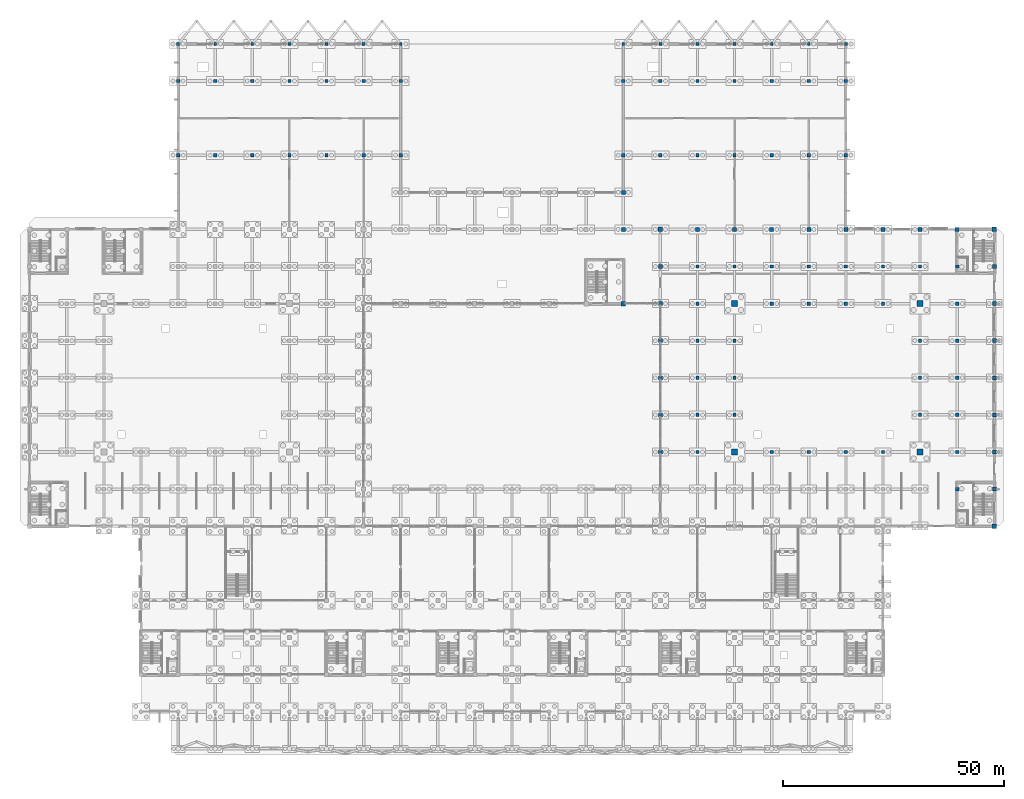
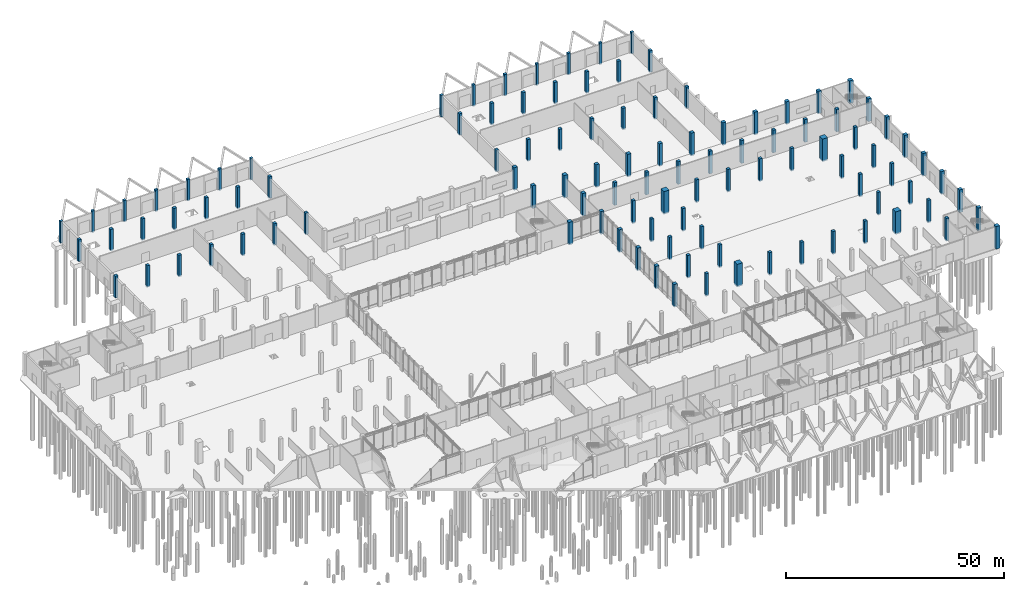
# One storey, part 14 of 72: 106 columns.
"""IFC4 building model written with IfcOpenShell, lengths in metres."""

from ifc_helpers import new_model, si_unit, direction, frame, origin, origin_2d, place, context, subcontext, project, spatial, rectangle, extrude, material, material_profile, profile_set, type_object, element, save


model = new_model("IFC4")

# Units and contexts
model_context = context("Model", 3, precision=1e-05, world=origin(), true_north=direction((0.0, 1.0)))
body_context = subcontext(model_context, "Body", "Model", "MODEL_VIEW")
ifc_project = project(units=[si_unit("LENGTHUNIT", "METRE"), si_unit("AREAUNIT", "SQUARE_METRE"), si_unit("VOLUMEUNIT", "CUBIC_METRE"), si_unit("PLANEANGLEUNIT", "RADIAN"), si_unit("MASSUNIT", "GRAM", prefix="KILO")], contexts=[model_context])

# Site, building, storey
site_placement = place(None, origin())
site = spatial("IfcSite", under=ifc_project, at=site_placement, CompositionType="ELEMENT")
building_placement = place(site_placement, origin())
building = spatial("IfcBuilding", under=site, at=building_placement, Name="Qawsi Khor Wholesale Market", CompositionType="ELEMENT")
storey_placement = place(building_placement, origin())
storey = spatial("IfcBuildingStorey", under=building, at=storey_placement, Name="L00", CompositionType="ELEMENT", Elevation=0.0)

# Columns
ifc_material = material(Name="Concrete C40/50", Category="concrete")
ifc_material_profile_1 = material_profile(ifc_material, rectangle(XDim=1.0, YDim=1.0, at=origin_2d()), Name="RC 1000x1000")
ifc_profile_set_1 = profile_set([ifc_material_profile_1], Name="Concrete C40/50")
column_type_1 = type_object("IfcColumnType", Name="Column RC 1000x1000", PredefinedType="COLUMN", material=ifc_profile_set_1)
for number, where, z_axis, x_axis, name in (
    (1, (134.39990234375, 92.39990234375, -0.360107421875), (0.0, 0.0, 1.0), (1.0, 0.0, 0.0), "Column RC 1000x1000 L00 (16,11)"),
    (2, (142.800048828125, 109.199951171875, -0.360107421875), (0.0, 0.0, 1.0), (1.0, 0.0, 0.0), "Column RC 1000x1000 L00 (17,13)"),
    (3, (218.39990234375, 42.0, -0.360107421875), (0.0, 0.0, 1.0), (1.0, 0.0, 0.0), "Column RC 1000x1000 L00 (26,5)"),
    (4, (218.39990234375, 109.199951171875, -0.360107421875), (0.0, 0.0, 1.0), (1.0, 0.0, 0.0), "Column RC 1000x1000 L00 (26,13)"),
):
    element("IfcColumn", number, at=place(storey_placement, frame(where, z_axis=z_axis, x_axis=x_axis)), inside=storey, type_object=column_type_1, Name=name, PredefinedType="COLUMN", context=body_context, shape_type="SweptSolid", body=[
        extrude(rectangle(XDim=1.0, YDim=1.0, at=origin_2d()), origin(), (0.0, 0.0, 1.0), 6.360107421875),
    ])
ifc_material_profile_2 = material_profile(ifc_material, rectangle(XDim=0.64990234375, YDim=0.64990234375, at=origin_2d()), Name="RC 650x650")
ifc_profile_set_2 = profile_set([ifc_material_profile_2], Name="Concrete C40/50")
column_type_2 = type_object("IfcColumnType", Name="Column RC 650x650", PredefinedType="COLUMN", material=ifc_profile_set_2)
for number, where, z_axis, x_axis, name in (
    (5, (33.60009765625, 151.199951171875, -0.360107421875), (0.0, 0.0, 1.0), (1.0, 0.0, 0.0), "Column RC 650x650 L00 (4,18)"),
    (6, (42.0, 151.199951171875, -0.360107421875), (0.0, 0.0, 1.0), (1.0, 0.0, 0.0), "Column RC 650x650 L00 (5,18)"),
    (7, (50.39990234375, 151.199951171875, -0.360107421875), (0.0, 0.0, 1.0), (1.0, 0.0, 0.0), "Column RC 650x650 L00 (6,18)"),
    (8, (58.800048828125, 151.199951171875, -0.360107421875), (0.0, 0.0, 1.0), (1.0, 0.0, 0.0), "Column RC 650x650 L00 (7,18)"),
    (9, (67.199951171875, 151.199951171875, -0.360107421875), (0.0, 0.0, 1.0), (1.0, 0.0, 0.0), "Column RC 650x650 L00 (8,18)"),
    (10, (75.60009765625, 151.199951171875, -0.360107421875), (0.0, 0.0, 1.0), (1.0, 0.0, 0.0), "Column RC 650x650 L00 (9,18)"),
    (11, (84.0, 151.199951171875, -0.360107421875), (0.0, 0.0, 1.0), (1.0, 0.0, 0.0), "Column RC 650x650 L00 (10,18)"),
    (12, (134.39990234375, 151.199951171875, -0.360107421875), (0.0, 0.0, 1.0), (1.0, 0.0, 0.0), "Column RC 650x650 L00 (16,18)"),
    (13, (142.800048828125, 151.199951171875, -0.360107421875), (0.0, 0.0, 1.0), (1.0, 0.0, 0.0), "Column RC 650x650 L00 (17,18)"),
    (14, (151.199951171875, 151.199951171875, -0.360107421875), (0.0, 0.0, 1.0), (1.0, 0.0, 0.0), "Column RC 650x650 L00 (18,18)"),
    (15, (159.60009765625, 151.199951171875, -0.360107421875), (0.0, 0.0, 1.0), (1.0, 0.0, 0.0), "Column RC 650x650 L00 (19,18)"),
    (16, (168.0, 151.199951171875, -0.360107421875), (0.0, 0.0, 1.0), (1.0, 0.0, 0.0), "Column RC 650x650 L00 (20,18)"),
    (17, (176.39990234375, 151.199951171875, -0.360107421875), (0.0, 0.0, 1.0), (1.0, 0.0, 0.0), "Column RC 650x650 L00 (21,18)"),
    (18, (184.800048828125, 151.199951171875, -0.360107421875), (0.0, 0.0, 1.0), (1.0, 0.0, 0.0), "Column RC 650x650 L00 (22,18)"),
):
    element("IfcColumn", number, at=place(storey_placement, frame(where, z_axis=z_axis, x_axis=x_axis)), inside=storey, type_object=column_type_2, Name=name, PredefinedType="COLUMN", context=body_context, shape_type="SweptSolid", body=[
        extrude(rectangle(XDim=0.64990234375, YDim=0.64990234375, at=origin_2d()), origin(), (0.0, 0.0, 1.0), 6.06005859375),
    ])
ifc_material_profile_3 = material_profile(ifc_material, rectangle(XDim=0.75, YDim=0.75, at=origin_2d()), Name="RC 750x750")
ifc_profile_set_3 = profile_set([ifc_material_profile_3], Name="Concrete C40/50")
column_type_3 = type_object("IfcColumnType", Name="Column RC 750x750", PredefinedType="COLUMN", material=ifc_profile_set_3)
for number, where, z_axis, x_axis, name in (
    (19, (33.60009765625, 126.0, -0.360107421875), (0.0, 0.0, 1.0), (1.0, 0.0, 0.0), "Column RC 750x750 L00 (4,15)"),
    (20, (33.60009765625, 142.800048828125, -0.360107421875), (0.0, 0.0, 1.0), (1.0, 0.0, 0.0), "Column RC 750x750 L00 (4,17)"),
    (21, (42.0, 126.0, -0.360107421875), (0.0, 0.0, 1.0), (1.0, 0.0, 0.0), "Column RC 750x750 L00 (5,15)"),
    (22, (42.0, 142.800048828125, -0.360107421875), (0.0, 0.0, 1.0), (1.0, 0.0, 0.0), "Column RC 750x750 L00 (5,17)"),
    (23, (50.39990234375, 126.0, -0.360107421875), (0.0, 0.0, 1.0), (1.0, 0.0, 0.0), "Column RC 750x750 L00 (6,15)"),
    (24, (50.39990234375, 142.800048828125, -0.360107421875), (0.0, 0.0, 1.0), (1.0, 0.0, 0.0), "Column RC 750x750 L00 (6,17)"),
    (25, (58.800048828125, 126.0, -0.360107421875), (0.0, 0.0, 1.0), (1.0, 0.0, 0.0), "Column RC 750x750 L00 (7,15)"),
    (26, (58.800048828125, 142.800048828125, -0.360107421875), (0.0, 0.0, 1.0), (1.0, 0.0, 0.0), "Column RC 750x750 L00 (7,17)"),
    (27, (67.199951171875, 126.0, -0.360107421875), (0.0, 0.0, 1.0), (1.0, 0.0, 0.0), "Column RC 750x750 L00 (8,15)"),
    (28, (67.199951171875, 142.800048828125, -0.360107421875), (0.0, 0.0, 1.0), (1.0, 0.0, 0.0), "Column RC 750x750 L00 (8,17)"),
    (29, (75.60009765625, 126.0, -0.360107421875), (0.0, 0.0, 1.0), (1.0, 0.0, 0.0), "Column RC 750x750 L00 (9,15)"),
    (30, (75.60009765625, 142.800048828125, -0.360107421875), (0.0, 0.0, 1.0), (1.0, 0.0, 0.0), "Column RC 750x750 L00 (9,17)"),
    (31, (84.0, 126.0, -0.360107421875), (0.0, 0.0, 1.0), (1.0, 0.0, 0.0), "Column RC 750x750 L00 (10,15)"),
    (32, (84.0, 142.800048828125, -0.360107421875), (0.0, 0.0, 1.0), (1.0, 0.0, 0.0), "Column RC 750x750 L00 (10,17)"),
    (33, (134.39990234375, 126.0, -0.360107421875), (0.0, 0.0, 1.0), (1.0, 0.0, 0.0), "Column RC 750x750 L00 (16,15)"),
    (34, (134.39990234375, 142.800048828125, -0.360107421875), (0.0, 0.0, 1.0), (1.0, 0.0, 0.0), "Column RC 750x750 L00 (16,17)"),
    (35, (142.800048828125, 126.0, -0.360107421875), (0.0, 0.0, 1.0), (1.0, 0.0, 0.0), "Column RC 750x750 L00 (17,15)"),
    (36, (142.800048828125, 142.800048828125, -0.360107421875), (0.0, 0.0, 1.0), (1.0, 0.0, 0.0), "Column RC 750x750 L00 (17,17)"),
):
    element("IfcColumn", number, at=place(storey_placement, frame(where, z_axis=z_axis, x_axis=x_axis)), inside=storey, type_object=column_type_3, Name=name, PredefinedType="COLUMN", context=body_context, shape_type="SweptSolid", body=[
        extrude(rectangle(XDim=0.75, YDim=0.75, at=origin_2d()), origin(), (0.0, 0.0, 1.0), 6.06005859375),
    ])
for number, where, z_axis, x_axis, name in (
    (37, (151.199951171875, 58.800048828125, -0.360107421875), (0.0, 0.0, 1.0), (1.0, 0.0, 0.0), "Column RC 750x750 L00 (18,7)"),
    (38, (151.199951171875, 67.199951171875, -0.360107421875), (0.0, 0.0, 1.0), (1.0, 0.0, 0.0), "Column RC 750x750 L00 (18,8)"),
    (39, (151.199951171875, 75.60009765625, -0.360107421875), (0.0, 0.0, 1.0), (1.0, 0.0, 0.0), "Column RC 750x750 L00 (18,9)"),
    (40, (151.199951171875, 84.0, -0.360107421875), (0.0, 0.0, 1.0), (1.0, 0.0, 0.0), "Column RC 750x750 L00 (18,10)"),
    (41, (151.199951171875, 92.39990234375, -0.360107421875), (0.0, 0.0, 1.0), (1.0, 0.0, 0.0), "Column RC 750x750 L00 (18,11)"),
    (42, (151.199951171875, 100.800048828125, -0.360107421875), (0.0, 0.0, 1.0), (1.0, 0.0, 0.0), "Column RC 750x750 L00 (18,12)"),
):
    element("IfcColumn", number, at=place(storey_placement, frame(where, z_axis=z_axis, x_axis=x_axis)), inside=storey, type_object=column_type_3, Name=name, PredefinedType="COLUMN", context=body_context, shape_type="SweptSolid", body=[
        extrude(rectangle(XDim=0.75, YDim=0.75, at=origin_2d()), origin(), (0.0, 0.0, 1.0), 6.360107421875),
    ])
for number, where, z_axis, x_axis, name in (
    (43, (151.199951171875, 126.0, -0.360107421875), (0.0, 0.0, 1.0), (1.0, 0.0, 0.0), "Column RC 750x750 L00 (18,15)"),
    (44, (151.199951171875, 142.800048828125, -0.360107421875), (0.0, 0.0, 1.0), (1.0, 0.0, 0.0), "Column RC 750x750 L00 (18,17)"),
):
    element("IfcColumn", number, at=place(storey_placement, frame(where, z_axis=z_axis, x_axis=x_axis)), inside=storey, type_object=column_type_3, Name=name, PredefinedType="COLUMN", context=body_context, shape_type="SweptSolid", body=[
        extrude(rectangle(XDim=0.75, YDim=0.75, at=origin_2d()), origin(), (0.0, 0.0, 1.0), 6.06005859375),
    ])
for number, where, z_axis, x_axis, name in (
    (45, (159.60009765625, 67.199951171875, -0.360107421875), (0.0, 0.0, 1.0), (1.0, 0.0, 0.0), "Column RC 750x750 L00 (19,8)"),
    (46, (159.60009765625, 75.60009765625, -0.360107421875), (0.0, 0.0, 1.0), (1.0, 0.0, 0.0), "Column RC 750x750 L00 (19,9)"),
    (47, (159.60009765625, 84.0, -0.360107421875), (0.0, 0.0, 1.0), (1.0, 0.0, 0.0), "Column RC 750x750 L00 (19,10)"),
    (48, (159.60009765625, 100.800048828125, -0.360107421875), (0.0, 0.0, 1.0), (1.0, 0.0, 0.0), "Column RC 750x750 L00 (19,12)"),
):
    element("IfcColumn", number, at=place(storey_placement, frame(where, z_axis=z_axis, x_axis=x_axis)), inside=storey, type_object=column_type_3, Name=name, PredefinedType="COLUMN", context=body_context, shape_type="SweptSolid", body=[
        extrude(rectangle(XDim=0.75, YDim=0.75, at=origin_2d()), origin(), (0.0, 0.0, 1.0), 6.360107421875),
    ])
for number, where, z_axis, x_axis, name in (
    (49, (159.60009765625, 126.0, -0.360107421875), (0.0, 0.0, 1.0), (1.0, 0.0, 0.0), "Column RC 750x750 L00 (19,15)"),
    (50, (159.60009765625, 142.800048828125, -0.360107421875), (0.0, 0.0, 1.0), (1.0, 0.0, 0.0), "Column RC 750x750 L00 (19,17)"),
):
    element("IfcColumn", number, at=place(storey_placement, frame(where, z_axis=z_axis, x_axis=x_axis)), inside=storey, type_object=column_type_3, Name=name, PredefinedType="COLUMN", context=body_context, shape_type="SweptSolid", body=[
        extrude(rectangle(XDim=0.75, YDim=0.75, at=origin_2d()), origin(), (0.0, 0.0, 1.0), 6.06005859375),
    ])
for number, where, z_axis, x_axis, name in (
    (51, (168.0, 58.800048828125, -0.360107421875), (0.0, 0.0, 1.0), (1.0, 0.0, 0.0), "Column RC 750x750 L00 (20,7)"),
    (52, (168.0, 92.39990234375, -0.360107421875), (0.0, 0.0, 1.0), (1.0, 0.0, 0.0), "Column RC 750x750 L00 (20,11)"),
    (53, (168.0, 100.800048828125, -0.360107421875), (0.0, 0.0, 1.0), (1.0, 0.0, 0.0), "Column RC 750x750 L00 (20,12)"),
):
    element("IfcColumn", number, at=place(storey_placement, frame(where, z_axis=z_axis, x_axis=x_axis)), inside=storey, type_object=column_type_3, Name=name, PredefinedType="COLUMN", context=body_context, shape_type="SweptSolid", body=[
        extrude(rectangle(XDim=0.75, YDim=0.75, at=origin_2d()), origin(), (0.0, 0.0, 1.0), 6.360107421875),
    ])
for number, where, z_axis, x_axis, name in (
    (54, (168.0, 126.0, -0.360107421875), (0.0, 0.0, 1.0), (1.0, 0.0, 0.0), "Column RC 750x750 L00 (20,15)"),
    (55, (168.0, 142.800048828125, -0.360107421875), (0.0, 0.0, 1.0), (1.0, 0.0, 0.0), "Column RC 750x750 L00 (20,17)"),
):
    element("IfcColumn", number, at=place(storey_placement, frame(where, z_axis=z_axis, x_axis=x_axis)), inside=storey, type_object=column_type_3, Name=name, PredefinedType="COLUMN", context=body_context, shape_type="SweptSolid", body=[
        extrude(rectangle(XDim=0.75, YDim=0.75, at=origin_2d()), origin(), (0.0, 0.0, 1.0), 6.06005859375),
    ])
for number, where, z_axis, x_axis, name in (
    (56, (176.39990234375, 58.800048828125, -0.360107421875), (0.0, 0.0, 1.0), (1.0, 0.0, 0.0), "Column RC 750x750 L00 (21,7)"),
    (57, (176.39990234375, 92.39990234375, -0.360107421875), (0.0, 0.0, 1.0), (1.0, 0.0, 0.0), "Column RC 750x750 L00 (21,11)"),
    (58, (176.39990234375, 100.800048828125, -0.360107421875), (0.0, 0.0, 1.0), (1.0, 0.0, 0.0), "Column RC 750x750 L00 (21,12)"),
):
    element("IfcColumn", number, at=place(storey_placement, frame(where, z_axis=z_axis, x_axis=x_axis)), inside=storey, type_object=column_type_3, Name=name, PredefinedType="COLUMN", context=body_context, shape_type="SweptSolid", body=[
        extrude(rectangle(XDim=0.75, YDim=0.75, at=origin_2d()), origin(), (0.0, 0.0, 1.0), 6.360107421875),
    ])
for number, where, z_axis, x_axis, name in (
    (59, (176.39990234375, 126.0, -0.360107421875), (0.0, 0.0, 1.0), (1.0, 0.0, 0.0), "Column RC 750x750 L00 (21,15)"),
    (60, (176.39990234375, 142.800048828125, -0.360107421875), (0.0, 0.0, 1.0), (1.0, 0.0, 0.0), "Column RC 750x750 L00 (21,17)"),
):
    element("IfcColumn", number, at=place(storey_placement, frame(where, z_axis=z_axis, x_axis=x_axis)), inside=storey, type_object=column_type_3, Name=name, PredefinedType="COLUMN", context=body_context, shape_type="SweptSolid", body=[
        extrude(rectangle(XDim=0.75, YDim=0.75, at=origin_2d()), origin(), (0.0, 0.0, 1.0), 6.06005859375),
    ])
for number, where, z_axis, x_axis, name in (
    (61, (184.800048828125, 58.800048828125, -0.360107421875), (0.0, 0.0, 1.0), (1.0, 0.0, 0.0), "Column RC 750x750 L00 (22,7)"),
    (62, (184.800048828125, 92.39990234375, -0.360107421875), (0.0, 0.0, 1.0), (1.0, 0.0, 0.0), "Column RC 750x750 L00 (22,11)"),
    (63, (184.800048828125, 100.800048828125, -0.360107421875), (0.0, 0.0, 1.0), (1.0, 0.0, 0.0), "Column RC 750x750 L00 (22,12)"),
):
    element("IfcColumn", number, at=place(storey_placement, frame(where, z_axis=z_axis, x_axis=x_axis)), inside=storey, type_object=column_type_3, Name=name, PredefinedType="COLUMN", context=body_context, shape_type="SweptSolid", body=[
        extrude(rectangle(XDim=0.75, YDim=0.75, at=origin_2d()), origin(), (0.0, 0.0, 1.0), 6.360107421875),
    ])
for number, where, z_axis, x_axis, name in (
    (64, (184.800048828125, 126.0, -0.360107421875), (0.0, 0.0, 1.0), (1.0, 0.0, 0.0), "Column RC 750x750 L00 (22,15)"),
    (65, (184.800048828125, 142.800048828125, -0.360107421875), (0.0, 0.0, 1.0), (1.0, 0.0, 0.0), "Column RC 750x750 L00 (22,17)"),
):
    element("IfcColumn", number, at=place(storey_placement, frame(where, z_axis=z_axis, x_axis=x_axis)), inside=storey, type_object=column_type_3, Name=name, PredefinedType="COLUMN", context=body_context, shape_type="SweptSolid", body=[
        extrude(rectangle(XDim=0.75, YDim=0.75, at=origin_2d()), origin(), (0.0, 0.0, 1.0), 6.06005859375),
    ])
for number, where, z_axis, x_axis, name in (
    (66, (193.199951171875, 58.800048828125, -0.360107421875), (0.0, 0.0, 1.0), (1.0, 0.0, 0.0), "Column RC 750x750 L00 (23,7)"),
    (67, (193.199951171875, 92.39990234375, -0.360107421875), (0.0, 0.0, 1.0), (1.0, 0.0, 0.0), "Column RC 750x750 L00 (23,11)"),
    (68, (193.199951171875, 100.800048828125, -0.360107421875), (0.0, 0.0, 1.0), (1.0, 0.0, 0.0), "Column RC 750x750 L00 (23,12)"),
    (69, (201.60009765625, 67.199951171875, -0.360107421875), (0.0, 0.0, 1.0), (1.0, 0.0, 0.0), "Column RC 750x750 L00 (24,8)"),
    (70, (201.60009765625, 75.60009765625, -0.360107421875), (0.0, 0.0, 1.0), (1.0, 0.0, 0.0), "Column RC 750x750 L00 (24,9)"),
    (71, (201.60009765625, 84.0, -0.360107421875), (0.0, 0.0, 1.0), (1.0, 0.0, 0.0), "Column RC 750x750 L00 (24,10)"),
    (72, (201.60009765625, 100.800048828125, -0.360107421875), (0.0, 0.0, 1.0), (1.0, 0.0, 0.0), "Column RC 750x750 L00 (24,12)"),
    (73, (210.0, 50.39990234375, -0.360107421875), (0.0, 0.0, 1.0), (1.0, 0.0, 0.0), "Column RC 750x750 L00 (25,6)"),
    (74, (210.0, 58.800048828125, -0.360107421875), (0.0, 0.0, 1.0), (1.0, 0.0, 0.0), "Column RC 750x750 L00 (25,7)"),
    (75, (210.0, 67.199951171875, -0.360107421875), (0.0, 0.0, 1.0), (1.0, 0.0, 0.0), "Column RC 750x750 L00 (25,8)"),
    (76, (210.0, 75.60009765625, -0.360107421875), (0.0, 0.0, 1.0), (1.0, 0.0, 0.0), "Column RC 750x750 L00 (25,9)"),
    (77, (210.0, 84.0, -0.360107421875), (0.0, 0.0, 1.0), (1.0, 0.0, 0.0), "Column RC 750x750 L00 (25,10)"),
    (78, (210.0, 92.39990234375, -0.360107421875), (0.0, 0.0, 1.0), (1.0, 0.0, 0.0), "Column RC 750x750 L00 (25,11)"),
    (79, (210.0, 100.800048828125, -0.360107421875), (0.0, 0.0, 1.0), (1.0, 0.0, 0.0), "Column RC 750x750 L00 (25,12)"),
):
    element("IfcColumn", number, at=place(storey_placement, frame(where, z_axis=z_axis, x_axis=x_axis)), inside=storey, type_object=column_type_3, Name=name, PredefinedType="COLUMN", context=body_context, shape_type="SweptSolid", body=[
        extrude(rectangle(XDim=0.75, YDim=0.75, at=origin_2d()), origin(), (0.0, 0.0, 1.0), 6.360107421875),
    ])
ifc_material_profile_4 = material_profile(ifc_material, rectangle(XDim=0.89990234375, YDim=0.89990234375, at=origin_2d()), Name="RC 900x900")
ifc_profile_set_4 = profile_set([ifc_material_profile_4], Name="Concrete C40/50")
column_type_4 = type_object("IfcColumnType", Name="Column RC 900x900", PredefinedType="COLUMN", material=ifc_profile_set_4)
for number, where, z_axis, x_axis, name in (
    (80, (134.39990234375, 109.199951171875, -0.360107421875), (0.0, 0.0, 1.0), (1.0, 0.0, 0.0), "Column RC 900x900 L00 (16,13)"),
    (81, (134.39990234375, 117.60009765625, -0.360107421875), (0.0, 0.0, 1.0), (1.0, 0.0, 0.0), "Column RC 900x900 L00 (16,14)"),
    (82, (142.800048828125, 58.800048828125, -0.360107421875), (0.0, 0.0, 1.0), (1.0, 0.0, 0.0), "Column RC 900x900 L00 (17,7)"),
    (83, (142.800048828125, 67.199951171875, -0.360107421875), (0.0, 0.0, 1.0), (1.0, 0.0, 0.0), "Column RC 900x900 L00 (17,8)"),
    (84, (142.800048828125, 75.60009765625, -0.360107421875), (0.0, 0.0, 1.0), (1.0, 0.0, 0.0), "Column RC 900x900 L00 (17,9)"),
    (85, (142.800048828125, 84.0, -0.360107421875), (0.0, 0.0, 1.0), (1.0, 0.0, 0.0), "Column RC 900x900 L00 (17,10)"),
    (86, (142.800048828125, 92.39990234375, -0.360107421875), (0.0, 0.0, 1.0), (1.0, 0.0, 0.0), "Column RC 900x900 L00 (17,11)"),
    (87, (142.800048828125, 100.800048828125, -0.360107421875), (0.0, 0.0, 1.0), (1.0, 0.0, 0.0), "Column RC 900x900 L00 (17,12)"),
    (88, (151.199951171875, 109.199951171875, -0.360107421875), (0.0, 0.0, 1.0), (1.0, 0.0, 0.0), "Column RC 900x900 L00 (18,13)"),
    (89, (159.60009765625, 109.199951171875, -0.360107421875), (0.0, 0.0, 1.0), (1.0, 0.0, 0.0), "Column RC 900x900 L00 (19,13)"),
    (90, (168.0, 109.199951171875, -0.360107421875), (0.0, 0.0, 1.0), (1.0, 0.0, 0.0), "Column RC 900x900 L00 (20,13)"),
    (91, (176.39990234375, 109.199951171875, -0.360107421875), (0.0, 0.0, 1.0), (1.0, 0.0, 0.0), "Column RC 900x900 L00 (21,13)"),
    (92, (184.800048828125, 109.199951171875, -0.360107421875), (0.0, 0.0, 1.0), (1.0, 0.0, 0.0), "Column RC 900x900 L00 (22,13)"),
    (93, (193.199951171875, 109.199951171875, -0.360107421875), (0.0, 0.0, 1.0), (1.0, 0.0, 0.0), "Column RC 900x900 L00 (23,13)"),
    (94, (201.60009765625, 109.199951171875, -0.360107421875), (0.0, 0.0, 1.0), (1.0, 0.0, 0.0), "Column RC 900x900 L00 (24,13)"),
    (95, (210.0, 109.199951171875, -0.360107421875), (0.0, 0.0, 1.0), (1.0, 0.0, 0.0), "Column RC 900x900 L00 (25,13)"),
    (96, (218.39990234375, 50.39990234375, -0.360107421875), (0.0, 0.0, 1.0), (1.0, 0.0, 0.0), "Column RC 900x900 L00 (26,6)"),
    (97, (218.39990234375, 58.800048828125, -0.360107421875), (0.0, 0.0, 1.0), (1.0, 0.0, 0.0), "Column RC 900x900 L00 (26,7)"),
    (98, (218.39990234375, 67.199951171875, -0.360107421875), (0.0, 0.0, 1.0), (1.0, 0.0, 0.0), "Column RC 900x900 L00 (26,8)"),
    (99, (218.39990234375, 75.60009765625, -0.360107421875), (0.0, 0.0, 1.0), (1.0, 0.0, 0.0), "Column RC 900x900 L00 (26,9)"),
    (100, (218.39990234375, 84.0, -0.360107421875), (0.0, 0.0, 1.0), (1.0, 0.0, 0.0), "Column RC 900x900 L00 (26,10)"),
    (101, (218.39990234375, 92.39990234375, -0.360107421875), (0.0, 0.0, 1.0), (1.0, 0.0, 0.0), "Column RC 900x900 L00 (26,11)"),
    (102, (218.39990234375, 100.800048828125, -0.360107421875), (0.0, 0.0, 1.0), (1.0, 0.0, 0.0), "Column RC 900x900 L00 (26,12)"),
):
    element("IfcColumn", number, at=place(storey_placement, frame(where, z_axis=z_axis, x_axis=x_axis)), inside=storey, type_object=column_type_4, Name=name, PredefinedType="COLUMN", context=body_context, shape_type="SweptSolid", body=[
        extrude(rectangle(XDim=0.89990234375, YDim=0.89990234375, at=origin_2d()), origin(), (0.0, 0.0, 1.0), 6.360107421875),
    ])
ifc_material_profile_5 = material_profile(ifc_material, rectangle(XDim=1.39990234375, YDim=1.39990234375, at=origin_2d()), Name="RC 1400x1400")
ifc_profile_set_5 = profile_set([ifc_material_profile_5], Name="Concrete C40/50")
column_type_5 = type_object("IfcColumnType", Name="Hall Mega-Column RC 1400x1400", PredefinedType="COLUMN", material=ifc_profile_set_5)
for number, where, z_axis, x_axis, name in (
    (103, (159.60009765625, 58.800048828125, -0.360107421875), (0.0, 0.0, 1.0), (1.0, 0.0, 0.0), "Hall Mega-Column RC 1400x1400 L00 (19,7)"),
    (104, (159.60009765625, 92.39990234375, -0.360107421875), (0.0, 0.0, 1.0), (1.0, 0.0, 0.0), "Hall Mega-Column RC 1400x1400 L00 (19,11)"),
    (105, (201.60009765625, 58.800048828125, -0.360107421875), (0.0, 0.0, 1.0), (1.0, 0.0, 0.0), "Hall Mega-Column RC 1400x1400 L00 (24,7)"),
    (106, (201.60009765625, 92.39990234375, -0.360107421875), (0.0, 0.0, 1.0), (1.0, 0.0, 0.0), "Hall Mega-Column RC 1400x1400 L00 (24,11)"),
):
    element("IfcColumn", number, at=place(storey_placement, frame(where, z_axis=z_axis, x_axis=x_axis)), inside=storey, type_object=column_type_5, Name=name, PredefinedType="COLUMN", context=body_context, shape_type="SweptSolid", body=[
        extrude(rectangle(XDim=1.39990234375, YDim=1.39990234375, at=origin_2d()), origin(), (0.0, 0.0, 1.0), 6.360107421875),
    ])

save(model, "model.ifc")
